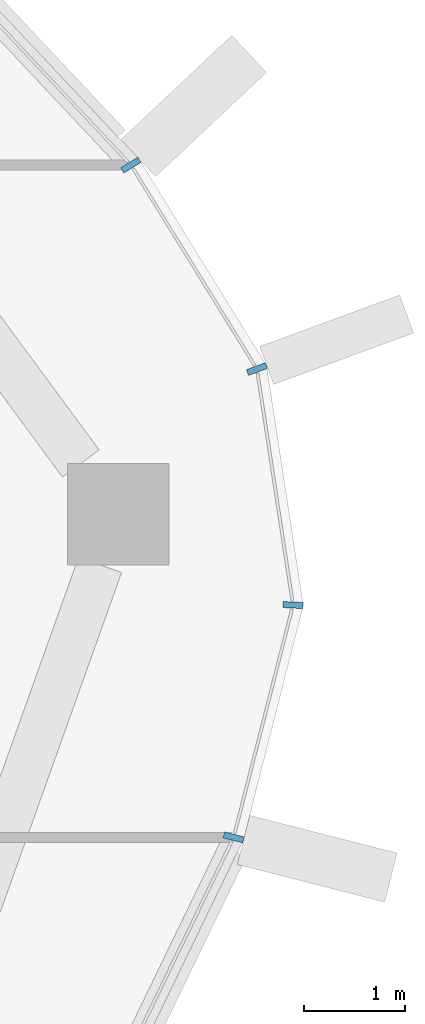
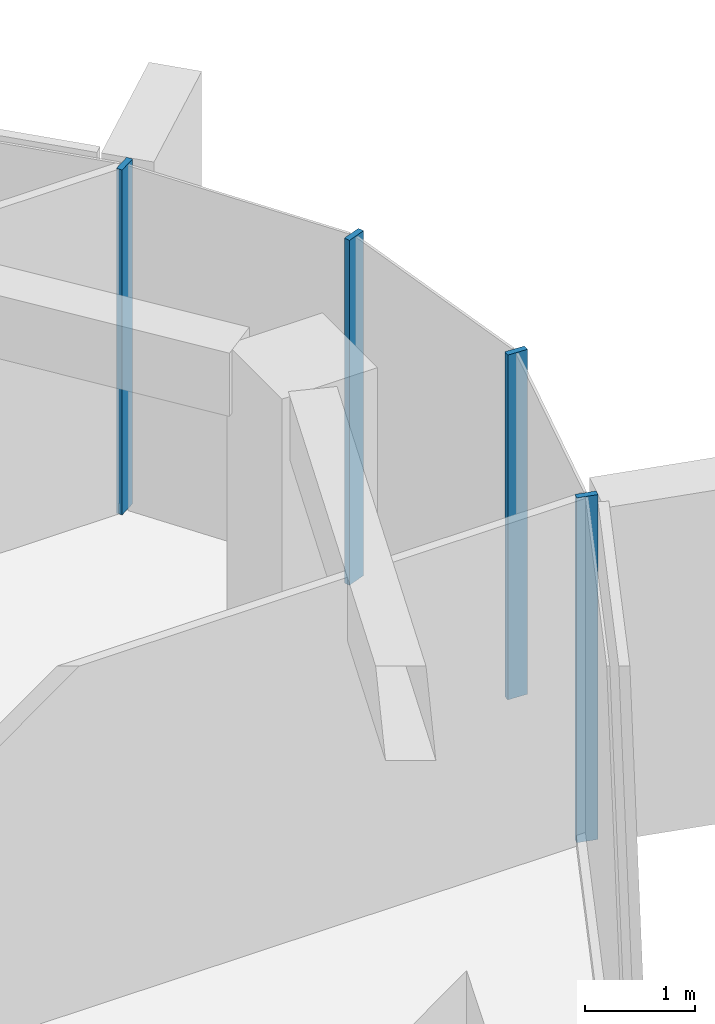
# One storey, part 10 of 24: 4 members, 1 element without a shape of its own.
"""IFC4 building model written with IfcOpenShell, lengths in metres."""

import ifcopenshell
import ifcopenshell.guid

model = None  # the IFC model being written
_history = None  # IfcOwnerHistory: only IFC2X3 demands one
_inside = {}  # id of a spatial element -> (the spatial element, [elements in it])
_under = {}  # id of a project, library or spatial element -> (it, [spatial elements below it])
_declared = {}  # id of a project -> (the project, [libraries it declares])
_typed = {}  # id of a type object -> (the type object, [elements of that type])
_made_of = {}  # id of a material, layer set ... -> (it, [elements and type objects made of it])


def new_model(schema):
    """Start an empty IFC model of exactly this schema.

    Asked for "IFC4X3", IfcOpenShell would pick the latest addendum, in which some entities
    have other attributes; the version numbers below select the first issue.
    IFC2X3 requires an IfcOwnerHistory on every rooted entity: one is made here for all.
    """
    global model, _history
    if schema == "IFC4X3":
        model = ifcopenshell.file(schema_version=(4, 3, 0, 0))
    else:
        model = ifcopenshell.file(schema=schema)
    _inside.clear()
    _under.clear()
    _declared.clear()
    _typed.clear()
    _made_of.clear()
    _history = None
    if model.schema == "IFC2X3":
        org = make("IfcOrganization", Name="unknown")
        user = make(
            "IfcPersonAndOrganization",
            ThePerson=make("IfcPerson", FamilyName="unknown"),
            TheOrganization=org,
        )
        app = make(
            "IfcApplication",
            ApplicationDeveloper=org,
            Version="unknown",
            ApplicationFullName="unknown",
            ApplicationIdentifier="unknown",
        )
        _history = make(
            "IfcOwnerHistory",
            OwningUser=user,
            OwningApplication=app,
            ChangeAction="ADDED",
            CreationDate=0,
        )
    return model


def make(cls, **values):
    """One entity of the class cls with the attributes given. An attribute that is None is left unset."""
    return model.create_entity(
        cls, **{name: value for name, value in values.items() if value is not None}
    )


def rooted(cls, **values):
    """An entity with a GlobalId (a new one), such as an element, a storey or a relation."""
    return make(cls, GlobalId=ifcopenshell.guid.new(), OwnerHistory=_history, **values)


def si_unit(unit_type, name, prefix=None):
    """IfcSIUnit, for example si_unit("LENGTHUNIT", "METRE", prefix="MILLI")."""
    return make("IfcSIUnit", UnitType=unit_type, Prefix=prefix, Name=name)


def assignment(units):
    """IfcUnitAssignment: the units of a project."""
    return None if units is None else make("IfcUnitAssignment", Units=units)


def point(xyz):
    """IfcCartesianPoint."""
    return None if xyz is None else make("IfcCartesianPoint", Coordinates=xyz)


def direction(xyz):
    """IfcDirection."""
    return None if xyz is None else make("IfcDirection", DirectionRatios=xyz)


def frame(location, z_axis=None, x_axis=None):
    """IfcAxis2Placement3D, a coordinate frame: its origin and axes. An axis left out is left unset."""
    return make(
        "IfcAxis2Placement3D",
        Location=point(location),
        Axis=direction(z_axis),
        RefDirection=direction(x_axis),
    )


def frame_2d(location, x_axis=None):
    """IfcAxis2Placement2D, a coordinate frame in the plane: its origin and x axis."""
    return make(
        "IfcAxis2Placement2D", Location=point(location), RefDirection=direction(x_axis)
    )


def origin():
    """The frame at (0, 0, 0) with its axes left unset."""
    return frame((0.0, 0.0, 0.0))


def origin_2d():
    """The frame at (0, 0) in the plane with its x axis left unset."""
    return frame_2d((0.0, 0.0))


def place(relative_to, where):
    """IfcLocalPlacement: puts the frame where relative to a parent placement (None: the world)."""
    return make(
        "IfcLocalPlacement", PlacementRelTo=relative_to, RelativePlacement=where
    )


def context(
    kind, dimensions, precision=None, world=None, true_north=None, identifier=None
):
    """IfcGeometricRepresentationContext, for example the 3D "Model" context."""
    return make(
        "IfcGeometricRepresentationContext",
        ContextIdentifier=identifier,
        ContextType=kind,
        CoordinateSpaceDimension=dimensions,
        Precision=precision,
        WorldCoordinateSystem=world,
        TrueNorth=true_north,
    )


def subcontext(parent, identifier, kind, view, scale=None):
    """IfcGeometricRepresentationSubContext, for example "Body" below "Model"."""
    return make(
        "IfcGeometricRepresentationSubContext",
        ContextIdentifier=identifier,
        ContextType=kind,
        ParentContext=parent,
        TargetScale=scale,
        TargetView=view,
    )


def project(units=None, contexts=None):
    """IfcProject with its units and contexts."""
    return rooted(
        "IfcProject",
        Name="project",
        RepresentationContexts=contexts,
        UnitsInContext=assignment(units),
    )


def spatial(cls, under=None, at=None, **own):
    """A site, building, storey or space (cls), placed at a placement, below another one or the project."""
    s = rooted(cls, ObjectPlacement=at, **own)
    if under is not None:
        _under.setdefault(under.id(), (under, []))[1].append(s)
    return s


def profile(cls, at=None, kind="AREA", **sizes):
    """A parametric profile (cls). Its sizes go by their IFC names, for example OverallWidth=200.0."""
    return make(cls, ProfileType=kind, Position=at, **sizes)


def rectangle(**sizes):
    """IfcRectangleProfileDef."""
    return profile("IfcRectangleProfileDef", **sizes)


def extrude(swept, where, along, depth):
    """IfcExtrudedAreaSolid: the profile swept, set in the frame where, extruded along a direction by depth."""
    return make(
        "IfcExtrudedAreaSolid",
        SweptArea=swept,
        Position=where,
        ExtrudedDirection=direction(along),
        Depth=depth,
    )


def shape(context_of_items, identifier, shape_type, items):
    """IfcShapeRepresentation: the items that make up one representation, for example the "Body"."""
    return make(
        "IfcShapeRepresentation",
        ContextOfItems=context_of_items,
        RepresentationIdentifier=identifier,
        RepresentationType=shape_type,
        Items=items,
    )


def material(Name=None, Category=None):
    """IfcMaterial."""
    return make("IfcMaterial", Name=Name, Category=Category)


def layer(
    of_material, thickness, ventilated=None, Name=None, Category=None, Priority=None
):
    """IfcMaterialLayer: one layer of a wall or slab, of a material (None: an air gap)."""
    return make(
        "IfcMaterialLayer",
        Material=of_material,
        LayerThickness=thickness,
        IsVentilated=ventilated,
        Name=Name,
        Category=Category,
        Priority=Priority,
    )


def layer_set(layers, Name=None):
    """IfcMaterialLayerSet."""
    return make("IfcMaterialLayerSet", MaterialLayers=layers, LayerSetName=Name)


def material_profile(
    of_material, cross_section, Name=None, Category=None, Priority=None
):
    """IfcMaterialProfile: a cross section and its material."""
    return make(
        "IfcMaterialProfile",
        Name=Name,
        Material=of_material,
        Profile=cross_section,
        Priority=Priority,
        Category=Category,
    )


def profile_set(profiles, Name=None, composite=None):
    """IfcMaterialProfileSet."""
    return make(
        "IfcMaterialProfileSet",
        Name=Name,
        MaterialProfiles=profiles,
        CompositeProfile=composite,
    )


def made_of(thing, what):
    """Note that an element or type object is made of a material, layer set ...; save() writes the relation."""
    if what is not None:
        _made_of.setdefault(what.id(), (what, []))[1].append(thing)
    return thing


def type_object(cls, material=None, **own):
    """A type object (cls), such as IfcWallType, which elements share."""
    return made_of(rooted(cls, **own), material)


def element(
    cls,
    number,
    at=None,
    inside=None,
    cuts=None,
    type_object=None,
    material=None,
    context=None,
    identifier="Body",
    shape_type=None,
    held_by="IfcProductDefinitionShape",
    body=None,
    shapes=None,
    **own,
):
    """One element of the class cls, such as IfcWall. Its Tag is "e" and its number.

    at: its placement. inside: the storey or other place that contains it. cuts: it is an
    opening in that element (IfcRelVoidsElement). A single representation is given by context,
    identifier, shape_type and body (its items); several are given by shapes. held_by: the class
    of the entity that holds the representations. save() writes the other relations.
    """
    e = rooted(cls, Tag="e%d" % number, ObjectPlacement=at, **own)
    if body is not None:
        shapes = [shape(context, identifier, shape_type, body)]
    if shapes is not None:
        e.Representation = make(held_by, Representations=shapes)
    if inside is not None:
        _inside.setdefault(inside.id(), (inside, []))[1].append(e)
    if cuts is not None:
        rooted(
            "IfcRelVoidsElement", RelatingBuildingElement=cuts, RelatedOpeningElement=e
        )
    if type_object is not None:
        _typed.setdefault(type_object.id(), (type_object, []))[1].append(e)
    return made_of(e, material)


def aggregate(whole, parts):
    """IfcRelAggregates: a whole, such as a stair, and the parts it consists of."""
    return rooted("IfcRelAggregates", RelatingObject=whole, RelatedObjects=parts)


def save(model, path):
    """Write the relations noted so far, then the file.

    IfcRelAggregates (storeys below a building ...), IfcRelContainedInSpatialStructure (elements
    in a storey), IfcRelDefinesByType, IfcRelAssociatesMaterial and IfcRelDeclares: one each for
    every whole, place, type object, material and project.
    """
    for whole, parts in _under.values():
        aggregate(whole, parts)
    for where, things in _inside.values():
        rooted(
            "IfcRelContainedInSpatialStructure",
            RelatedElements=things,
            RelatingStructure=where,
        )
    for kind, things in _typed.values():
        rooted("IfcRelDefinesByType", RelatedObjects=things, RelatingType=kind)
    for what, things in _made_of.values():
        rooted("IfcRelAssociatesMaterial", RelatedObjects=things, RelatingMaterial=what)
    for by, libraries in _declared.values():
        rooted("IfcRelDeclares", RelatingContext=by, RelatedDefinitions=libraries)
    model.write(path)


model = new_model("IFC4")

# Units and contexts
model_context = context("Model", 3, precision=1e-05, world=origin(), true_north=direction((0.0, 1.0)))
body_context = subcontext(model_context, "Body", "Model", "MODEL_VIEW")
ifc_project = project(units=[si_unit("LENGTHUNIT", "METRE"), si_unit("AREAUNIT", "SQUARE_METRE"), si_unit("VOLUMEUNIT", "CUBIC_METRE"), si_unit("PLANEANGLEUNIT", "RADIAN"), si_unit("MASSUNIT", "GRAM", prefix="KILO")], contexts=[model_context])

# Site, building, storey
site_placement = place(None, origin())
site = spatial("IfcSite", under=ifc_project, at=site_placement, CompositionType="ELEMENT")
building_placement = place(site_placement, origin())
building = spatial("IfcBuilding", under=site, at=building_placement, Name="Dongbaek Canopy Tower", CompositionType="ELEMENT")
storey_placement = place(building_placement, frame((0.0, 0.0, 302.60009765625)))
storey = spatial("IfcBuildingStorey", under=building, at=storey_placement, Name="L64", CompositionType="ELEMENT", Elevation=302.60009765625)

# Curtain wall, members
ifc_material_1 = material(Name="Aluminium 6063-T6 pale anodised", Category="aluminium")
ifc_layer = layer(ifc_material_1, 0.199951171875)
ifc_layer_set = layer_set([ifc_layer], Name="CW-1 unitised tower curtain wall")
curtain_wall_type = type_object("IfcCurtainWallType", Name="CW-1 unitised tower curtain wall", PredefinedType="NOTDEFINED", material=ifc_layer_set)
curtain_wall_placement = place(storey_placement, origin())
curtain_wall = element("IfcCurtainWall", 1, at=curtain_wall_placement, inside=storey, type_object=curtain_wall_type, Name="CW-1 curtain wall K0.1", PredefinedType="NOTDEFINED")
ifc_material_2 = material(Name="Aluminium 6063-T6 pale anodised", Category="aluminium")
ifc_material_profile = material_profile(ifc_material_2, rectangle(XDim=0.199951171875, YDim=0.06005859375, at=origin_2d()), Name="CW-1 mullion 60 x 200")
ifc_profile_set = profile_set([ifc_material_profile], Name="Aluminium 6063-T6 pale anodised")
member_type = type_object("IfcMemberType", Name="CW-1 mullion 60 x 200", PredefinedType="MULLION", material=ifc_profile_set)
member_1_placement = place(storey_placement, frame((31.943359375, 3.51123046875, 0.0), z_axis=(0.0, 0.0, 1.0), x_axis=(0.968887047372, -0.247503311967, 0.0)))
member_1 = element("IfcMember", 2, at=member_1_placement, type_object=member_type, Name="CW-1 mullion K0.1.1", PredefinedType="MULLION", context=body_context, shape_type="SweptSolid", body=[
    extrude(rectangle(XDim=0.199951171875, YDim=0.06005859375, at=origin_2d()), origin(), (0.0, 0.0, 1.0), 3.81982421875),
])
member_2_placement = place(storey_placement, frame((32.528564453125, 5.8017578125, 0.0), z_axis=(0.0, 0.0, 1.0), x_axis=(0.99878954122, -0.049187928895, 0.0)))
member_2 = element("IfcMember", 3, at=member_2_placement, type_object=member_type, Name="CW-1 mullion K0.1.2", PredefinedType="MULLION", context=body_context, shape_type="SweptSolid", body=[
    extrude(rectangle(XDim=0.199951171875, YDim=0.06005859375, at=origin_2d()), origin(), (0.0, 0.0, 1.0), 3.81982421875),
])
member_3_placement = place(storey_placement, frame((32.1728515625, 8.12841796875, 0.0), z_axis=(0.0, 0.0, 1.0), x_axis=(0.938484314321, 0.34532186692, 0.0)))
member_3 = element("IfcMember", 4, at=member_3_placement, type_object=member_type, Name="CW-1 mullion K0.1.3", PredefinedType="MULLION", context=body_context, shape_type="SweptSolid", body=[
    extrude(rectangle(XDim=0.199951171875, YDim=0.06005859375, at=origin_2d()), origin(), (0.0, 0.0, 1.0), 3.81982421875),
])
member_4_placement = place(storey_placement, frame((30.93017578125, 10.1396484375, 0.0), z_axis=(0.0, 0.0, 1.0), x_axis=(0.850702259789, 0.525647852836, 0.0)))
member_4 = element("IfcMember", 5, at=member_4_placement, type_object=member_type, Name="CW-1 mullion K0.1.4", PredefinedType="MULLION", context=body_context, shape_type="SweptSolid", body=[
    extrude(rectangle(XDim=0.199951171875, YDim=0.06005859375, at=origin_2d()), origin(), (0.0, 0.0, 1.0), 3.81982421875),
])
aggregate(curtain_wall, [member_1, member_2, member_3, member_4])

save(model, "model.ifc")
